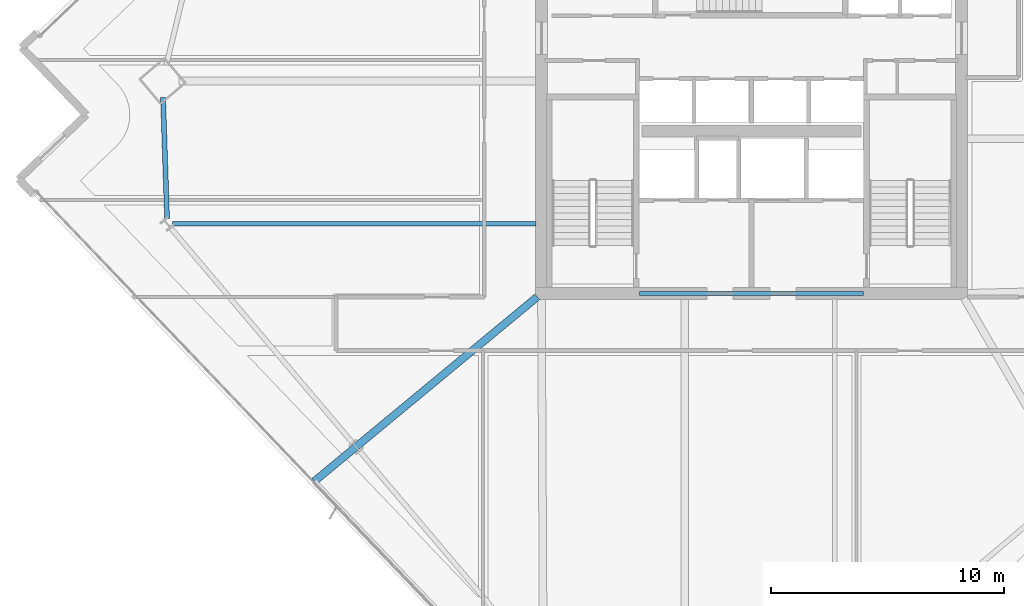
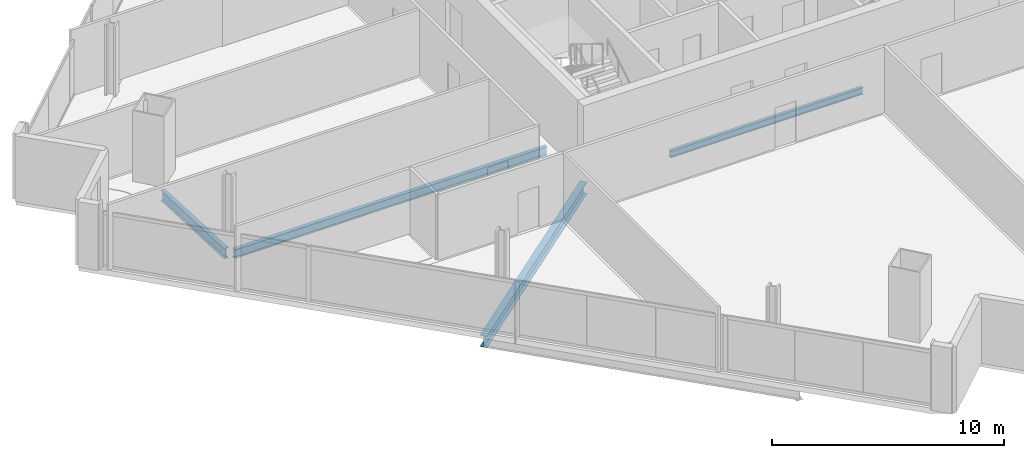
# One storey, part 5 of 33: 4 beams.
"""IFC4 building model written with IfcOpenShell, lengths in metres."""

from ifc_helpers import new_model, si_unit, direction, frame, origin, origin_2d, place, context, subcontext, project, spatial, i_section, extrude, material, material_profile, profile_set, type_object, element, save


model = new_model("IFC4")

# Units and contexts
model_context = context("Model", 3, precision=1e-05, world=origin(), true_north=direction((0.0, 1.0)))
body_context = subcontext(model_context, "Body", "Model", "MODEL_VIEW")
ifc_project = project(units=[si_unit("LENGTHUNIT", "METRE"), si_unit("AREAUNIT", "SQUARE_METRE"), si_unit("VOLUMEUNIT", "CUBIC_METRE"), si_unit("PLANEANGLEUNIT", "RADIAN"), si_unit("MASSUNIT", "GRAM", prefix="KILO")], contexts=[model_context])

# Site, building, storey
site_placement = place(None, origin())
site = spatial("IfcSite", under=ifc_project, at=site_placement, CompositionType="ELEMENT")
building_placement = place(site_placement, origin())
building = spatial("IfcBuilding", under=site, at=building_placement, Name="Haldenkirk Collegiate Tower", CompositionType="ELEMENT")
storey_placement = place(building_placement, frame((0.0, 0.0, 174.449951171875)))
storey = spatial("IfcBuildingStorey", under=building, at=storey_placement, Name="L43", CompositionType="ELEMENT", Elevation=174.449951171875)

# Beams
ifc_material = material(Name="Steel ASTM A992 Grade 50", Category="steel")
ifc_material_profile_1 = material_profile(ifc_material, i_section(OverallWidth=0.324951171875, OverallDepth=0.615966796875, WebThickness=0.013916015625, FlangeThickness=0.021484375, at=origin_2d()), Name="W24X117")
ifc_profile_set_1 = profile_set([ifc_material_profile_1], Name="Steel ASTM A992 Grade 50")
beam_type_1 = type_object("IfcBeamType", Name="BM-GIRDER-W24X117", PredefinedType="BEAM", material=ifc_profile_set_1)
beam_1_placement = place(storey_placement, frame((17.2705078125, 9.94921875, -0.597900390625), z_axis=(0.770434341057, 0.637519353526, 0.0), x_axis=(-0.637519353526, 0.770434341057, 0.0)))
element("IfcBeam", 1, at=beam_1_placement, inside=storey, type_object=beam_type_1, Name="L43 primary floor girder 15", PredefinedType="BEAM", context=body_context, shape_type="SweptSolid", body=[
    extrude(i_section(OverallWidth=0.324951171875, OverallDepth=0.615966796875, WebThickness=0.013916015625, FlangeThickness=0.021484375, at=origin_2d()), origin(), (0.0, 0.0, 1.0), 12.3984375),
])
ifc_material_profile_2 = material_profile(ifc_material, i_section(OverallWidth=0.18994140625, OverallDepth=0.45703125, WebThickness=0.009033203125, FlangeThickness=0.014404296875, at=origin_2d()), Name="W18X50")
ifc_profile_set_2 = profile_set([ifc_material_profile_2], Name="Steel ASTM A992 Grade 50")
beam_type_2 = type_object("IfcBeamType", Name="BM-JOIST-W18X50", PredefinedType="JOIST", material=ifc_profile_set_2)
beam_2_placement = place(storey_placement, frame((11.1923828125, 20.9833984375, -0.5185546875), z_axis=(1.0, 0.0, 0.0), x_axis=(0.0, 1.0, 0.0)))
element("IfcBeam", 2, at=beam_2_placement, inside=storey, type_object=beam_type_2, Name="L43 composite floor joist 14", PredefinedType="JOIST", context=body_context, shape_type="SweptSolid", body=[
    extrude(i_section(OverallWidth=0.18994140625, OverallDepth=0.45703125, WebThickness=0.009033203125, FlangeThickness=0.014404296875, at=origin_2d()), origin(), (0.0, 0.0, 1.0), 15.57763671875),
])
ifc_material_profile_3 = material_profile(ifc_material, i_section(OverallWidth=0.1708984375, OverallDepth=0.35595703125, WebThickness=0.007080078125, FlangeThickness=0.01171875, at=origin_2d()), Name="W14X34")
ifc_profile_set_3 = profile_set([ifc_material_profile_3], Name="Steel ASTM A992 Grade 50")
beam_type_3 = type_object("IfcBeamType", Name="BM-LINTEL-W14X34", PredefinedType="LINTEL", material=ifc_profile_set_3)
beam_3_placement = place(storey_placement, frame((31.199951171875, 18.0, -0.468017578125), z_axis=(1.0, 0.0, 0.0), x_axis=(0.0, 1.0, 0.0)))
element("IfcBeam", 3, at=beam_3_placement, inside=storey, type_object=beam_type_3, Name="L43 south core coupling lintel", PredefinedType="LINTEL", context=body_context, shape_type="SweptSolid", body=[
    extrude(i_section(OverallWidth=0.1708984375, OverallDepth=0.35595703125, WebThickness=0.007080078125, FlangeThickness=0.01171875, at=origin_2d()), origin(), (0.0, 0.0, 1.0), 9.60009765625),
])
ifc_material_profile_4 = material_profile(ifc_material, i_section(OverallWidth=0.2119140625, OverallDepth=0.5439453125, WebThickness=0.01318359375, FlangeThickness=0.021240234375, at=origin_2d()), Name="W21X83")
ifc_profile_set_4 = profile_set([ifc_material_profile_4], Name="Steel ASTM A992 Grade 50")
beam_type_4 = type_object("IfcBeamType", Name="BM-SPANDREL-W21X83", PredefinedType="SPANDREL", material=ifc_profile_set_4)
beam_4_placement = place(storey_placement, frame((10.7841796875, 26.399169921875, -0.56201171875), z_axis=(0.033072037576, -0.999452970545, 0.0), x_axis=(0.999452970545, 0.033072037576, 0.0)))
element("IfcBeam", 4, at=beam_4_placement, inside=storey, type_object=beam_type_4, Name="L43 perimeter spandrel beam 13", PredefinedType="SPANDREL", context=body_context, shape_type="SweptSolid", body=[
    extrude(i_section(OverallWidth=0.2119140625, OverallDepth=0.5439453125, WebThickness=0.01318359375, FlangeThickness=0.021240234375, at=origin_2d()), origin(), (0.0, 0.0, 1.0), 5.189697265625),
])

save(model, "model.ifc")
